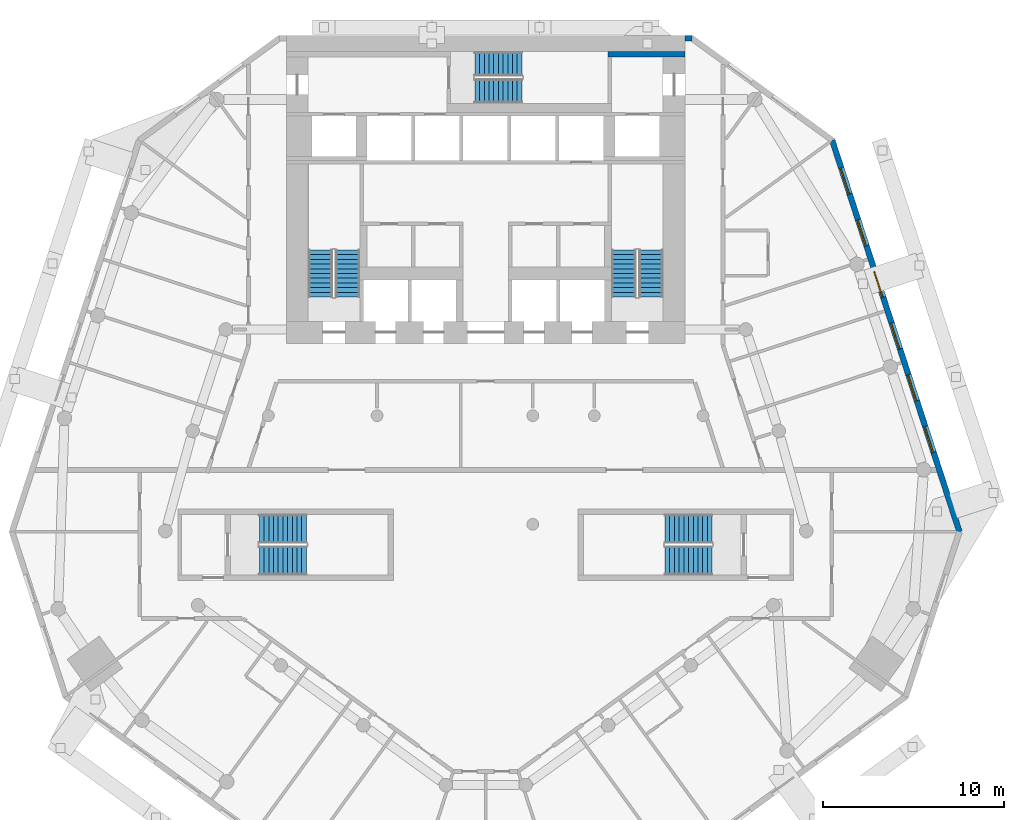
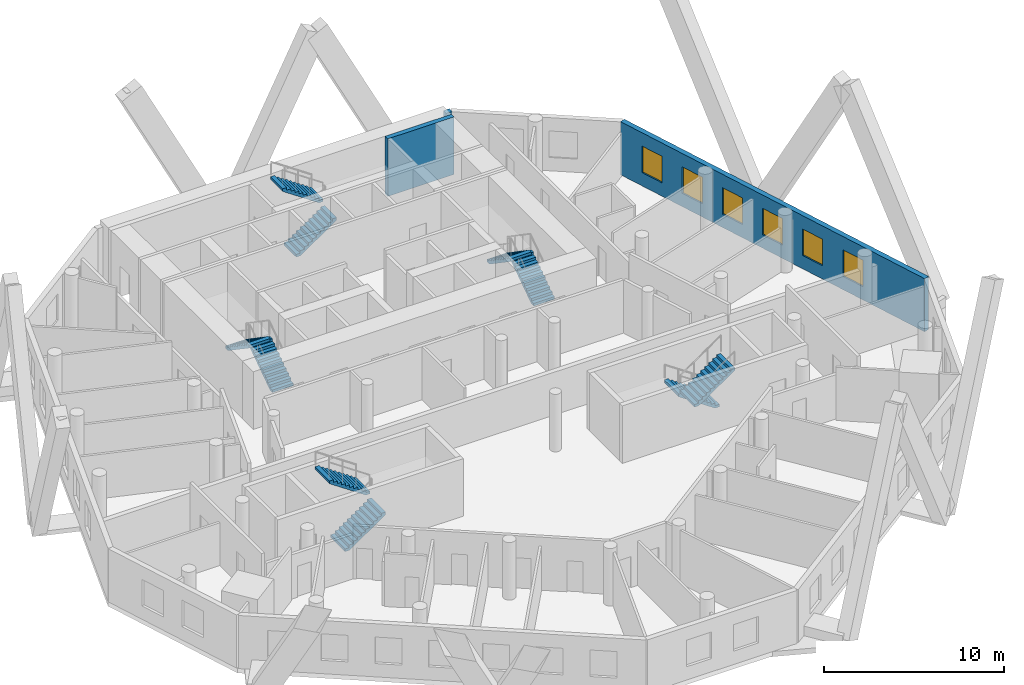
# One storey, part 8 of 10: 10 stair flights, 6 windows, 3 walls, 6 openings, 5 elements without a shape of their own.
"""IFC4 building model written with IfcOpenShell, lengths in metres."""

from ifc_helpers import new_model, si_unit, direction, frame, frame_2d, origin, place, context, subcontext, project, spatial, polyline, rectangle, outline, extrude, material, layer, layer_set, type_object, element, fill, aggregate, save


model = new_model("IFC4")

# Units and contexts
model_context = context("Model", 3, precision=1e-05, world=origin(), true_north=direction((0.0, 1.0)))
body_context = subcontext(model_context, "Body", "Model", "MODEL_VIEW")
ifc_project = project(units=[si_unit("LENGTHUNIT", "METRE"), si_unit("AREAUNIT", "SQUARE_METRE"), si_unit("VOLUMEUNIT", "CUBIC_METRE"), si_unit("PLANEANGLEUNIT", "RADIAN"), si_unit("MASSUNIT", "GRAM", prefix="KILO")], contexts=[model_context])

# Site, building, storey
site_placement = place(None, origin())
site = spatial("IfcSite", under=ifc_project, at=site_placement, CompositionType="ELEMENT")
building_placement = place(site_placement, origin())
building = spatial("IfcBuilding", under=site, at=building_placement, Name="White Candle Pilgrim Tower", CompositionType="ELEMENT")
storey_placement = place(building_placement, frame((0.0, 0.0, 42.89990234375)))
storey = spatial("IfcBuildingStorey", under=building, at=storey_placement, Name="L07", CompositionType="ELEMENT", Elevation=42.89990234375)

# Wall, openings, windows
ifc_material_1 = material(Name="Precast concrete C40/50", Category="concrete")
ifc_layer_1 = layer(ifc_material_1, 0.320068359375)
ifc_layer_set_1 = layer_set([ifc_layer_1], Name="Facade wall EW1 precast concrete C40/50 pier wall with timber-lined reveals")
wall_type_1 = type_object("IfcWallType", Name="Facade wall EW1 precast concrete C40/50 pier wall with timber-lined reveals", PredefinedType="SOLIDWALL", material=ifc_layer_set_1)
wall_1_placement = place(storey_placement, frame((96.1591796875, 60.59130859375, 0.0), z_axis=(0.0, 0.0, 1.0), x_axis=(-0.309017098694, 0.9510564824, 0.0)))
wall_1 = element("IfcWall", 1, at=wall_1_placement, inside=storey, type_object=wall_type_1, Name="Facade wall L07 ENE", PredefinedType="SOLIDWALL", context=body_context, shape_type="SweptSolid", body=[
    extrude(rectangle(XDim=22.730712890625, YDim=0.320068359375, at=frame_2d((11.365234375, 0.0))), origin(), (0.0, 0.0, 1.0), 3.60009765625),
])
opening_1_placement = place(wall_1_placement, frame((4.615478515625, 0.0, 0.89990234375)))
opening_1 = element("IfcOpeningElement", 2, at=opening_1_placement, cuts=wall_1, Name="Opening W1", PredefinedType="OPENING", context=body_context, shape_type="SweptSolid", body=[
    extrude(rectangle(XDim=1.5, YDim=1.800048828125, at=frame_2d((0.75, 0.89990234375))), frame((0.0, 0.169921875, 0.0), z_axis=(0.0, -1.0, 0.0), x_axis=(1.0, 0.0, 0.0)), (0.0, 0.0, 1.0), 0.340087890625),
])
opening_2_placement = place(wall_1_placement, frame((7.615478515625, 0.0, 0.89990234375)))
opening_2 = element("IfcOpeningElement", 3, at=opening_2_placement, cuts=wall_1, Name="Opening W1", PredefinedType="OPENING", context=body_context, shape_type="SweptSolid", body=[
    extrude(rectangle(XDim=1.5, YDim=1.800048828125, at=frame_2d((0.75, 0.89990234375))), frame((0.0, 0.169921875, 0.0), z_axis=(0.0, -1.0, 0.0), x_axis=(1.0, 0.0, 0.0)), (0.0, 0.0, 1.0), 0.340087890625),
])
opening_3_placement = place(wall_1_placement, frame((10.615478515625, 0.0, 0.89990234375)))
opening_3 = element("IfcOpeningElement", 4, at=opening_3_placement, cuts=wall_1, Name="Opening W1", PredefinedType="OPENING", context=body_context, shape_type="SweptSolid", body=[
    extrude(rectangle(XDim=1.5, YDim=1.800048828125, at=frame_2d((0.75, 0.89990234375))), frame((0.0, 0.169921875, 0.0), z_axis=(0.0, -1.0, 0.0), x_axis=(1.0, 0.0, 0.0)), (0.0, 0.0, 1.0), 0.340087890625),
])
opening_4_placement = place(wall_1_placement, frame((13.615478515625, 0.0, 0.89990234375)))
opening_4 = element("IfcOpeningElement", 5, at=opening_4_placement, cuts=wall_1, Name="Opening W1", PredefinedType="OPENING", context=body_context, shape_type="SweptSolid", body=[
    extrude(rectangle(XDim=1.5, YDim=1.800048828125, at=frame_2d((0.75, 0.89990234375))), frame((0.0, 0.169921875, 0.0), z_axis=(0.0, -1.0, 0.0), x_axis=(1.0, 0.0, 0.0)), (0.0, 0.0, 1.0), 0.340087890625),
])
opening_5_placement = place(wall_1_placement, frame((16.615478515625, 0.0, 0.89990234375)))
opening_5 = element("IfcOpeningElement", 6, at=opening_5_placement, cuts=wall_1, Name="Opening W1", PredefinedType="OPENING", context=body_context, shape_type="SweptSolid", body=[
    extrude(rectangle(XDim=1.5, YDim=1.800048828125, at=frame_2d((0.75, 0.89990234375))), frame((0.0, 0.169921875, 0.0), z_axis=(0.0, -1.0, 0.0), x_axis=(1.0, 0.0, 0.0)), (0.0, 0.0, 1.0), 0.340087890625),
])
opening_6_placement = place(wall_1_placement, frame((19.615478515625, 0.0, 0.89990234375)))
opening_6 = element("IfcOpeningElement", 7, at=opening_6_placement, cuts=wall_1, Name="Opening W1", PredefinedType="OPENING", context=body_context, shape_type="SweptSolid", body=[
    extrude(rectangle(XDim=1.5, YDim=1.800048828125, at=frame_2d((0.75, 0.89990234375))), frame((0.0, 0.169921875, 0.0), z_axis=(0.0, -1.0, 0.0), x_axis=(1.0, 0.0, 0.0)), (0.0, 0.0, 1.0), 0.340087890625),
])
ifc_material_2 = material(Name="Timber frame with triple glazing", Category="wood")
window_type = type_object("IfcWindowType", Name="Window W1 1500x1800 timber frame triple glazing", PartitioningType="SINGLE_PANEL", PredefinedType="WINDOW", material=ifc_material_2)
window_1_placement = place(opening_1_placement, origin())
window_1 = element("IfcWindow", 8, at=window_1_placement, inside=storey, type_object=window_type, Name="Window W1 L07 ENE 2", OverallHeight=1.800048828125, OverallWidth=1.5, PartitioningType="SINGLE_PANEL", PredefinedType="WINDOW", context=body_context, shape_type="SweptSolid", body=[
    extrude(rectangle(XDim=1.5, YDim=1.800048828125, at=frame_2d((0.75, 0.89990234375))), frame((0.0, 0.070068359375, 0.0), z_axis=(0.0, -1.0, 0.0), x_axis=(1.0, 0.0, 0.0)), (0.0, 0.0, 1.0), 0.06005859375),
])
fill(opening_1, window_1)
window_2_placement = place(opening_2_placement, origin())
window_2 = element("IfcWindow", 9, at=window_2_placement, inside=storey, type_object=window_type, Name="Window W1 L07 ENE 3", OverallHeight=1.800048828125, OverallWidth=1.5, PartitioningType="SINGLE_PANEL", PredefinedType="WINDOW", context=body_context, shape_type="SweptSolid", body=[
    extrude(rectangle(XDim=1.5, YDim=1.800048828125, at=frame_2d((0.75, 0.89990234375))), frame((0.0, 0.070068359375, 0.0), z_axis=(0.0, -1.0, 0.0), x_axis=(1.0, 0.0, 0.0)), (0.0, 0.0, 1.0), 0.06005859375),
])
fill(opening_2, window_2)
window_3_placement = place(opening_3_placement, origin())
window_3 = element("IfcWindow", 10, at=window_3_placement, inside=storey, type_object=window_type, Name="Window W1 L07 ENE 4", OverallHeight=1.800048828125, OverallWidth=1.5, PartitioningType="SINGLE_PANEL", PredefinedType="WINDOW", context=body_context, shape_type="SweptSolid", body=[
    extrude(rectangle(XDim=1.5, YDim=1.800048828125, at=frame_2d((0.75, 0.89990234375))), frame((0.0, 0.070068359375, 0.0), z_axis=(0.0, -1.0, 0.0), x_axis=(1.0, 0.0, 0.0)), (0.0, 0.0, 1.0), 0.06005859375),
])
fill(opening_3, window_3)
window_4_placement = place(opening_4_placement, origin())
window_4 = element("IfcWindow", 11, at=window_4_placement, inside=storey, type_object=window_type, Name="Window W1 L07 ENE 5", OverallHeight=1.800048828125, OverallWidth=1.5, PartitioningType="SINGLE_PANEL", PredefinedType="WINDOW", context=body_context, shape_type="SweptSolid", body=[
    extrude(rectangle(XDim=1.5, YDim=1.800048828125, at=frame_2d((0.75, 0.89990234375))), frame((0.0, 0.070068359375, 0.0), z_axis=(0.0, -1.0, 0.0), x_axis=(1.0, 0.0, 0.0)), (0.0, 0.0, 1.0), 0.06005859375),
])
fill(opening_4, window_4)
window_5_placement = place(opening_5_placement, origin())
window_5 = element("IfcWindow", 12, at=window_5_placement, inside=storey, type_object=window_type, Name="Window W1 L07 ENE 6", OverallHeight=1.800048828125, OverallWidth=1.5, PartitioningType="SINGLE_PANEL", PredefinedType="WINDOW", context=body_context, shape_type="SweptSolid", body=[
    extrude(rectangle(XDim=1.5, YDim=1.800048828125, at=frame_2d((0.75, 0.89990234375))), frame((0.0, 0.070068359375, 0.0), z_axis=(0.0, -1.0, 0.0), x_axis=(1.0, 0.0, 0.0)), (0.0, 0.0, 1.0), 0.06005859375),
])
fill(opening_5, window_5)
window_6_placement = place(opening_6_placement, origin())
window_6 = element("IfcWindow", 13, at=window_6_placement, inside=storey, type_object=window_type, Name="Window W1 L07 ENE 7", OverallHeight=1.800048828125, OverallWidth=1.5, PartitioningType="SINGLE_PANEL", PredefinedType="WINDOW", context=body_context, shape_type="SweptSolid", body=[
    extrude(rectangle(XDim=1.5, YDim=1.800048828125, at=frame_2d((0.75, 0.89990234375))), frame((0.0, 0.070068359375, 0.0), z_axis=(0.0, -1.0, 0.0), x_axis=(1.0, 0.0, 0.0)), (0.0, 0.0, 1.0), 0.06005859375),
])
fill(opening_6, window_6)

# Walls
wall_2_placement = place(storey_placement, frame((81.385009765625, 87.840087890625, 0.0), z_axis=(0.0, 0.0, 1.0), x_axis=(-1.0, 0.0, 0.0)))
element("IfcWall", 14, at=wall_2_placement, inside=storey, type_object=wall_type_1, Name="Facade wall L07 N", PredefinedType="SOLIDWALL", context=body_context, shape_type="SweptSolid", body=[
    extrude(rectangle(XDim=0.385009765625, YDim=0.320068359375, at=frame_2d((0.1923828125, 0.0))), origin(), (0.0, 0.0, 1.0), 3.60009765625),
])
ifc_material_3 = material(Name="Concrete C70/85", Category="concrete")
ifc_layer_2 = layer(ifc_material_3, 0.300048828125)
ifc_layer_set_2 = layer_set([ifc_layer_2], Name="Stair shaft wall 300 mm Concrete C70/85")
wall_type_2 = type_object("IfcWallType", Name="Stair shaft wall 300 mm Concrete C70/85", PredefinedType="SHEAR", material=ifc_layer_set_2)
wall_3_placement = place(storey_placement, frame((76.75, 86.949951171875, 0.0), z_axis=(0.0, 0.0, 1.0), x_axis=(1.0, 0.0, 0.0)))
element("IfcWall", 15, at=wall_3_placement, inside=storey, type_object=wall_type_2, Name="WL-L07-C50", PredefinedType="SHEAR", context=body_context, shape_type="SweptSolid", body=[
    extrude(rectangle(XDim=4.25, YDim=0.300048828125, at=frame_2d((2.125, 0.0))), origin(), (0.0, 0.0, 1.0), 3.900146484375),
])

# Stair, stair flights
ifc_material_4 = material(Name="Concrete C40/50", Category="concrete")
stair_type_1 = type_object("IfcStairType", Name="Exit stair 1 flight width 1350 mm", PredefinedType="HALF_TURN_STAIR", material=ifc_material_4)
stair_1_placement = place(storey_placement, origin())
stair_1 = element("IfcStair", 16, at=stair_1_placement, inside=storey, type_object=stair_type_1, Name="L07 stair 1", PredefinedType="NOTDEFINED")
ifc_layer_3 = layer(ifc_material_4, 0.14990234375)
ifc_layer_set_3 = layer_set([ifc_layer_3], Name="Stair flight Concrete C40/50")
stair_flight_type = type_object("IfcStairFlightType", Name="Stair flight Concrete C40/50", PredefinedType="STRAIGHT", material=ifc_layer_set_3)
stair_flight_1_placement = place(storey_placement, frame((62.375, 73.550048828125, 0.0), z_axis=(0.0, 0.0, 1.0), x_axis=(0.0, 1.0, 0.0)))
stair_flight_1 = element("IfcStairFlight", 17, at=stair_flight_1_placement, type_object=stair_flight_type, Name="ST1 flight 1", NumberOfRisers=11, NumberOfTreads=10, PredefinedType="NOTDEFINED", RiserHeight=0.177272727, TreadLength=0.26, context=body_context, shape_type="SweptSolid", body=[
    extrude(outline(polyline([(0.0, 0.0), (0.0, 0.17724609375), (0.260009765625, 0.17724609375), (0.260009765625, 0.3544921875), (0.52001953125, 0.3544921875), (0.52001953125, 0.53173828125), (0.780029296875, 0.53173828125), (0.780029296875, 0.708984375), (1.0400390625, 0.708984375), (1.0400390625, 0.886474609375), (1.300048828125, 0.886474609375), (1.300048828125, 1.063720703125), (1.56005859375, 1.063720703125), (1.56005859375, 1.240966796875), (1.820068359375, 1.240966796875), (1.820068359375, 1.418212890625), (2.080078125, 1.418212890625), (2.080078125, 1.595458984375), (2.340087890625, 1.595458984375), (2.340087890625, 1.772705078125), (2.60009765625, 1.772705078125), (2.60009765625, 1.949951171875), (2.60009765625, 1.59130859375), (0.26611328125, 0.0), (0.0, 0.0)])), frame((0.0, 0.675048828125, 0.0), z_axis=(0.0, -1.0, 0.0), x_axis=(1.0, 0.0, 0.0)), (0.0, 0.0, 1.0), 1.35009765625),
])
stair_flight_2_placement = place(storey_placement, frame((60.875, 76.14990234375, 1.9501953125), z_axis=(0.0, 0.0, 1.0), x_axis=(0.0, -1.0, 0.0)))
stair_flight_2 = element("IfcStairFlight", 18, at=stair_flight_2_placement, type_object=stair_flight_type, Name="ST1 flight 2", NumberOfRisers=11, NumberOfTreads=10, PredefinedType="NOTDEFINED", RiserHeight=0.177272727, TreadLength=0.26, context=body_context, shape_type="SweptSolid", body=[
    extrude(outline(polyline([(0.0, 0.0), (0.0, 0.17724609375), (0.260009765625, 0.17724609375), (0.260009765625, 0.3544921875), (0.52001953125, 0.3544921875), (0.52001953125, 0.53173828125), (0.780029296875, 0.53173828125), (0.780029296875, 0.708984375), (1.0400390625, 0.708984375), (1.0400390625, 0.886474609375), (1.300048828125, 0.886474609375), (1.300048828125, 1.063720703125), (1.56005859375, 1.063720703125), (1.56005859375, 1.240966796875), (1.820068359375, 1.240966796875), (1.820068359375, 1.418212890625), (2.080078125, 1.418212890625), (2.080078125, 1.595458984375), (2.340087890625, 1.595458984375), (2.340087890625, 1.772705078125), (2.60009765625, 1.772705078125), (2.60009765625, 1.949951171875), (2.60009765625, 1.59130859375), (0.26611328125, 0.0), (0.0, 0.0)])), frame((0.0, 0.675048828125, 0.0), z_axis=(0.0, -1.0, 0.0), x_axis=(1.0, 0.0, 0.0)), (0.0, 0.0, 1.0), 1.35009765625),
])
aggregate(stair_1, [stair_flight_1, stair_flight_2])

stair_type_2 = type_object("IfcStairType", Name="Exit stair 2 flight width 1350 mm", PredefinedType="HALF_TURN_STAIR", material=ifc_material_4)
stair_2_placement = place(storey_placement, origin())
stair_2 = element("IfcStair", 19, at=stair_2_placement, inside=storey, type_object=stair_type_2, Name="L07 stair 2", PredefinedType="NOTDEFINED")
stair_flight_3_placement = place(storey_placement, frame((79.125, 73.550048828125, 0.0), z_axis=(0.0, 0.0, 1.0), x_axis=(0.0, 1.0, 0.0)))
stair_flight_3 = element("IfcStairFlight", 20, at=stair_flight_3_placement, type_object=stair_flight_type, Name="ST2 flight 1", NumberOfRisers=11, NumberOfTreads=10, PredefinedType="NOTDEFINED", RiserHeight=0.177272727, TreadLength=0.26, context=body_context, shape_type="SweptSolid", body=[
    extrude(outline(polyline([(0.0, 0.0), (0.0, 0.17724609375), (0.260009765625, 0.17724609375), (0.260009765625, 0.3544921875), (0.52001953125, 0.3544921875), (0.52001953125, 0.53173828125), (0.780029296875, 0.53173828125), (0.780029296875, 0.708984375), (1.0400390625, 0.708984375), (1.0400390625, 0.886474609375), (1.300048828125, 0.886474609375), (1.300048828125, 1.063720703125), (1.56005859375, 1.063720703125), (1.56005859375, 1.240966796875), (1.820068359375, 1.240966796875), (1.820068359375, 1.418212890625), (2.080078125, 1.418212890625), (2.080078125, 1.595458984375), (2.340087890625, 1.595458984375), (2.340087890625, 1.772705078125), (2.60009765625, 1.772705078125), (2.60009765625, 1.949951171875), (2.60009765625, 1.59130859375), (0.26611328125, 0.0), (0.0, 0.0)])), frame((0.0, 0.675048828125, 0.0), z_axis=(0.0, -1.0, 0.0), x_axis=(1.0, 0.0, 0.0)), (0.0, 0.0, 1.0), 1.35009765625),
])
stair_flight_4_placement = place(storey_placement, frame((77.625, 76.14990234375, 1.9501953125), z_axis=(0.0, 0.0, 1.0), x_axis=(0.0, -1.0, 0.0)))
stair_flight_4 = element("IfcStairFlight", 21, at=stair_flight_4_placement, type_object=stair_flight_type, Name="ST2 flight 2", NumberOfRisers=11, NumberOfTreads=10, PredefinedType="NOTDEFINED", RiserHeight=0.177272727, TreadLength=0.26, context=body_context, shape_type="SweptSolid", body=[
    extrude(outline(polyline([(0.0, 0.0), (0.0, 0.17724609375), (0.260009765625, 0.17724609375), (0.260009765625, 0.3544921875), (0.52001953125, 0.3544921875), (0.52001953125, 0.53173828125), (0.780029296875, 0.53173828125), (0.780029296875, 0.708984375), (1.0400390625, 0.708984375), (1.0400390625, 0.886474609375), (1.300048828125, 0.886474609375), (1.300048828125, 1.063720703125), (1.56005859375, 1.063720703125), (1.56005859375, 1.240966796875), (1.820068359375, 1.240966796875), (1.820068359375, 1.418212890625), (2.080078125, 1.418212890625), (2.080078125, 1.595458984375), (2.340087890625, 1.595458984375), (2.340087890625, 1.772705078125), (2.60009765625, 1.772705078125), (2.60009765625, 1.949951171875), (2.60009765625, 1.59130859375), (0.26611328125, 0.0), (0.0, 0.0)])), frame((0.0, 0.675048828125, 0.0), z_axis=(0.0, -1.0, 0.0), x_axis=(1.0, 0.0, 0.0)), (0.0, 0.0, 1.0), 1.35009765625),
])
aggregate(stair_2, [stair_flight_3, stair_flight_4])

stair_type_3 = type_object("IfcStairType", Name="Exit stair 3 flight width 1350 mm", PredefinedType="HALF_TURN_STAIR", material=ifc_material_4)
stair_3_placement = place(storey_placement, origin())
stair_3 = element("IfcStair", 22, at=stair_3_placement, inside=storey, type_object=stair_type_3, Name="L07 stair 3", PredefinedType="NOTDEFINED")
stair_flight_5_placement = place(storey_placement, frame((69.39990234375, 84.925048828125, 0.0), z_axis=(0.0, 0.0, 1.0), x_axis=(1.0, 0.0, 0.0)))
stair_flight_5 = element("IfcStairFlight", 23, at=stair_flight_5_placement, type_object=stair_flight_type, Name="ST3 flight 1", NumberOfRisers=11, NumberOfTreads=10, PredefinedType="NOTDEFINED", RiserHeight=0.177272727, TreadLength=0.26, context=body_context, shape_type="SweptSolid", body=[
    extrude(outline(polyline([(0.0, 0.0), (0.0, 0.17724609375), (0.260009765625, 0.17724609375), (0.260009765625, 0.3544921875), (0.52001953125, 0.3544921875), (0.52001953125, 0.53173828125), (0.780029296875, 0.53173828125), (0.780029296875, 0.708984375), (1.0400390625, 0.708984375), (1.0400390625, 0.886474609375), (1.300048828125, 0.886474609375), (1.300048828125, 1.063720703125), (1.56005859375, 1.063720703125), (1.56005859375, 1.240966796875), (1.820068359375, 1.240966796875), (1.820068359375, 1.418212890625), (2.080078125, 1.418212890625), (2.080078125, 1.595458984375), (2.340087890625, 1.595458984375), (2.340087890625, 1.772705078125), (2.60009765625, 1.772705078125), (2.60009765625, 1.949951171875), (2.60009765625, 1.59130859375), (0.26611328125, 0.0), (0.0, 0.0)])), frame((0.0, 0.675048828125, 0.0), z_axis=(0.0, -1.0, 0.0), x_axis=(1.0, 0.0, 0.0)), (0.0, 0.0, 1.0), 1.35009765625),
])
stair_flight_6_placement = place(storey_placement, frame((72.0, 86.425048828125, 1.9501953125), z_axis=(0.0, 0.0, 1.0), x_axis=(-1.0, 0.0, 0.0)))
stair_flight_6 = element("IfcStairFlight", 24, at=stair_flight_6_placement, type_object=stair_flight_type, Name="ST3 flight 2", NumberOfRisers=11, NumberOfTreads=10, PredefinedType="NOTDEFINED", RiserHeight=0.177272727, TreadLength=0.26, context=body_context, shape_type="SweptSolid", body=[
    extrude(outline(polyline([(0.0, 0.0), (0.0, 0.17724609375), (0.260009765625, 0.17724609375), (0.260009765625, 0.3544921875), (0.52001953125, 0.3544921875), (0.52001953125, 0.53173828125), (0.780029296875, 0.53173828125), (0.780029296875, 0.708984375), (1.0400390625, 0.708984375), (1.0400390625, 0.886474609375), (1.300048828125, 0.886474609375), (1.300048828125, 1.063720703125), (1.56005859375, 1.063720703125), (1.56005859375, 1.240966796875), (1.820068359375, 1.240966796875), (1.820068359375, 1.418212890625), (2.080078125, 1.418212890625), (2.080078125, 1.595458984375), (2.340087890625, 1.595458984375), (2.340087890625, 1.772705078125), (2.60009765625, 1.772705078125), (2.60009765625, 1.949951171875), (2.60009765625, 1.59130859375), (0.26611328125, 0.0), (0.0, 0.0)])), frame((0.0, 0.675048828125, 0.0), z_axis=(0.0, -1.0, 0.0), x_axis=(1.0, 0.0, 0.0)), (0.0, 0.0, 1.0), 1.35009765625),
])
aggregate(stair_3, [stair_flight_5, stair_flight_6])

stair_type_4 = type_object("IfcStairType", Name="Exit stair 4 flight width 1600 mm", PredefinedType="HALF_TURN_STAIR", material=ifc_material_4)
stair_4_placement = place(storey_placement, origin())
stair_4 = element("IfcStair", 25, at=stair_4_placement, inside=storey, type_object=stair_type_4, Name="L07 stair 4", PredefinedType="NOTDEFINED")
stair_flight_7_placement = place(storey_placement, frame((82.5, 60.75, 0.0), z_axis=(0.0, 0.0, 1.0), x_axis=(-1.0, 0.0, 0.0)))
stair_flight_7 = element("IfcStairFlight", 26, at=stair_flight_7_placement, type_object=stair_flight_type, Name="ST4 flight 1", NumberOfRisers=11, NumberOfTreads=10, PredefinedType="NOTDEFINED", RiserHeight=0.177272727, TreadLength=0.26, context=body_context, shape_type="SweptSolid", body=[
    extrude(outline(polyline([(0.0, 0.0), (0.0, 0.17724609375), (0.260009765625, 0.17724609375), (0.260009765625, 0.3544921875), (0.52001953125, 0.3544921875), (0.52001953125, 0.53173828125), (0.780029296875, 0.53173828125), (0.780029296875, 0.708984375), (1.0400390625, 0.708984375), (1.0400390625, 0.886474609375), (1.300048828125, 0.886474609375), (1.300048828125, 1.063720703125), (1.56005859375, 1.063720703125), (1.56005859375, 1.240966796875), (1.820068359375, 1.240966796875), (1.820068359375, 1.418212890625), (2.080078125, 1.418212890625), (2.080078125, 1.595458984375), (2.340087890625, 1.595458984375), (2.340087890625, 1.772705078125), (2.60009765625, 1.772705078125), (2.60009765625, 1.949951171875), (2.60009765625, 1.59130859375), (0.26611328125, 0.0), (0.0, 0.0)])), frame((0.0, 0.800048828125, 0.0), z_axis=(0.0, -1.0, 0.0), x_axis=(1.0, 0.0, 0.0)), (0.0, 0.0, 1.0), 1.60009765625),
])
stair_flight_8_placement = place(storey_placement, frame((79.89990234375, 59.0, 1.9501953125), z_axis=(0.0, 0.0, 1.0), x_axis=(1.0, 0.0, 0.0)))
stair_flight_8 = element("IfcStairFlight", 27, at=stair_flight_8_placement, type_object=stair_flight_type, Name="ST4 flight 2", NumberOfRisers=11, NumberOfTreads=10, PredefinedType="NOTDEFINED", RiserHeight=0.177272727, TreadLength=0.26, context=body_context, shape_type="SweptSolid", body=[
    extrude(outline(polyline([(0.0, 0.0), (0.0, 0.17724609375), (0.260009765625, 0.17724609375), (0.260009765625, 0.3544921875), (0.52001953125, 0.3544921875), (0.52001953125, 0.53173828125), (0.780029296875, 0.53173828125), (0.780029296875, 0.708984375), (1.0400390625, 0.708984375), (1.0400390625, 0.886474609375), (1.300048828125, 0.886474609375), (1.300048828125, 1.063720703125), (1.56005859375, 1.063720703125), (1.56005859375, 1.240966796875), (1.820068359375, 1.240966796875), (1.820068359375, 1.418212890625), (2.080078125, 1.418212890625), (2.080078125, 1.595458984375), (2.340087890625, 1.595458984375), (2.340087890625, 1.772705078125), (2.60009765625, 1.772705078125), (2.60009765625, 1.949951171875), (2.60009765625, 1.59130859375), (0.26611328125, 0.0), (0.0, 0.0)])), frame((0.0, 0.800048828125, 0.0), z_axis=(0.0, -1.0, 0.0), x_axis=(1.0, 0.0, 0.0)), (0.0, 0.0, 1.0), 1.60009765625),
])
aggregate(stair_4, [stair_flight_7, stair_flight_8])

stair_type_5 = type_object("IfcStairType", Name="Exit stair 5 flight width 1600 mm", PredefinedType="HALF_TURN_STAIR", material=ifc_material_4)
stair_5_placement = place(storey_placement, origin())
stair_5 = element("IfcStair", 28, at=stair_5_placement, inside=storey, type_object=stair_type_5, Name="L07 stair 5", PredefinedType="NOTDEFINED")
stair_flight_9_placement = place(storey_placement, frame((57.5, 59.0, 0.0), z_axis=(0.0, 0.0, 1.0), x_axis=(1.0, 0.0, 0.0)))
stair_flight_9 = element("IfcStairFlight", 29, at=stair_flight_9_placement, type_object=stair_flight_type, Name="ST5 flight 1", NumberOfRisers=11, NumberOfTreads=10, PredefinedType="NOTDEFINED", RiserHeight=0.177272727, TreadLength=0.26, context=body_context, shape_type="SweptSolid", body=[
    extrude(outline(polyline([(0.0, 0.0), (0.0, 0.17724609375), (0.260009765625, 0.17724609375), (0.260009765625, 0.3544921875), (0.52001953125, 0.3544921875), (0.52001953125, 0.53173828125), (0.780029296875, 0.53173828125), (0.780029296875, 0.708984375), (1.0400390625, 0.708984375), (1.0400390625, 0.886474609375), (1.300048828125, 0.886474609375), (1.300048828125, 1.063720703125), (1.56005859375, 1.063720703125), (1.56005859375, 1.240966796875), (1.820068359375, 1.240966796875), (1.820068359375, 1.418212890625), (2.080078125, 1.418212890625), (2.080078125, 1.595458984375), (2.340087890625, 1.595458984375), (2.340087890625, 1.772705078125), (2.60009765625, 1.772705078125), (2.60009765625, 1.949951171875), (2.60009765625, 1.59130859375), (0.26611328125, 0.0), (0.0, 0.0)])), frame((0.0, 0.800048828125, 0.0), z_axis=(0.0, -1.0, 0.0), x_axis=(1.0, 0.0, 0.0)), (0.0, 0.0, 1.0), 1.60009765625),
])
stair_flight_10_placement = place(storey_placement, frame((60.10009765625, 60.75, 1.9501953125), z_axis=(0.0, 0.0, 1.0), x_axis=(-1.0, 0.0, 0.0)))
stair_flight_10 = element("IfcStairFlight", 30, at=stair_flight_10_placement, type_object=stair_flight_type, Name="ST5 flight 2", NumberOfRisers=11, NumberOfTreads=10, PredefinedType="NOTDEFINED", RiserHeight=0.177272727, TreadLength=0.26, context=body_context, shape_type="SweptSolid", body=[
    extrude(outline(polyline([(0.0, 0.0), (0.0, 0.17724609375), (0.260009765625, 0.17724609375), (0.260009765625, 0.3544921875), (0.52001953125, 0.3544921875), (0.52001953125, 0.53173828125), (0.780029296875, 0.53173828125), (0.780029296875, 0.708984375), (1.0400390625, 0.708984375), (1.0400390625, 0.886474609375), (1.300048828125, 0.886474609375), (1.300048828125, 1.063720703125), (1.56005859375, 1.063720703125), (1.56005859375, 1.240966796875), (1.820068359375, 1.240966796875), (1.820068359375, 1.418212890625), (2.080078125, 1.418212890625), (2.080078125, 1.595458984375), (2.340087890625, 1.595458984375), (2.340087890625, 1.772705078125), (2.60009765625, 1.772705078125), (2.60009765625, 1.949951171875), (2.60009765625, 1.59130859375), (0.26611328125, 0.0), (0.0, 0.0)])), frame((0.0, 0.800048828125, 0.0), z_axis=(0.0, -1.0, 0.0), x_axis=(1.0, 0.0, 0.0)), (0.0, 0.0, 1.0), 1.60009765625),
])
aggregate(stair_5, [stair_flight_9, stair_flight_10])

save(model, "model.ifc")
